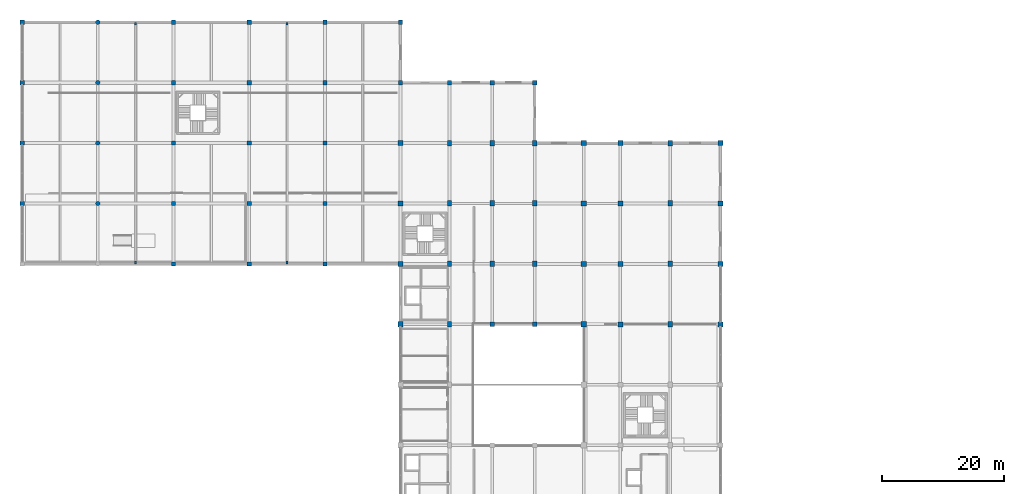
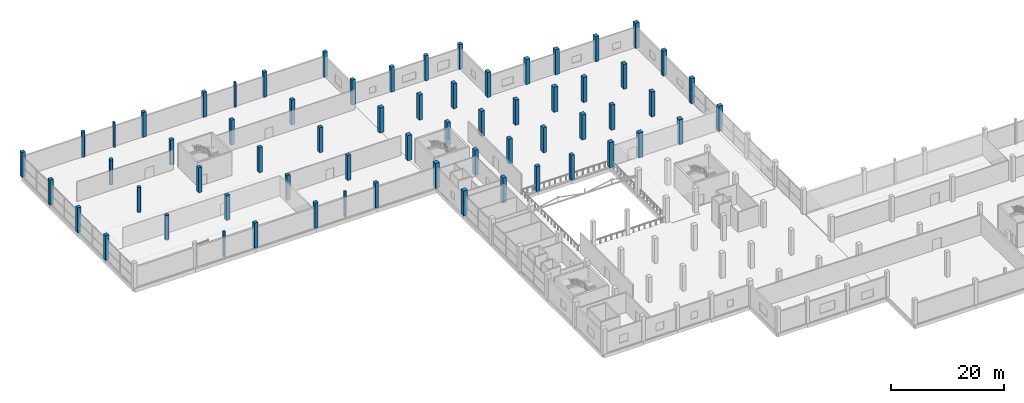
# One storey, part 2 of 74: 64 columns.
"""IFC4 building model written with IfcOpenShell, lengths in metres."""

from ifc_helpers import new_model, si_unit, direction, frame, origin, origin_2d, place, context, subcontext, project, spatial, rectangle, circle, extrude, material, material_profile, profile_set, type_object, element, save


model = new_model("IFC4")

# Units and contexts
model_context = context("Model", 3, precision=1e-05, world=origin(), true_north=direction((0.0, 1.0)))
body_context = subcontext(model_context, "Body", "Model", "MODEL_VIEW")
ifc_project = project(units=[si_unit("LENGTHUNIT", "METRE"), si_unit("AREAUNIT", "SQUARE_METRE"), si_unit("VOLUMEUNIT", "CUBIC_METRE"), si_unit("PLANEANGLEUNIT", "RADIAN"), si_unit("MASSUNIT", "GRAM", prefix="KILO")], contexts=[model_context])

# Site, building, storey
site_placement = place(None, origin())
site = spatial("IfcSite", under=ifc_project, at=site_placement, CompositionType="ELEMENT")
building_placement = place(site_placement, origin())
building = spatial("IfcBuilding", under=site, at=building_placement, Name="Sillaruma Civic Art Gallery", CompositionType="ELEMENT")
storey_placement = place(building_placement, frame((0.0, 0.0, 5.43994140625)))
storey = spatial("IfcBuildingStorey", under=building, at=storey_placement, Name="L01", CompositionType="ELEMENT", Elevation=5.43994140625)

# Columns
ifc_material = material(Name="Concrete H40 (40 MPa)", Category="concrete")
ifc_material_profile_1 = material_profile(ifc_material, rectangle(XDim=0.699951171875, YDim=0.699951171875, at=origin_2d()), Name="RC700x700")
ifc_profile_set_1 = profile_set([ifc_material_profile_1], Name="Concrete H40 (40 MPa)")
column_type_1 = type_object("IfcColumnType", Name="COL-COLUMN-RC700x700", PredefinedType="COLUMN", material=ifc_profile_set_1)
for number, where, z_axis, x_axis, name in (
    (1, (0.0, 89.10009765625, 0.0), (0.0, 0.0, 1.0), (1.0, 0.0, 0.0), "Column C-06 (L01:A10)"),
    (2, (0.0, 99.0, 0.0), (0.0, 0.0, 1.0), (1.0, 0.0, 0.0), "Column C-06 (L01:A11)"),
    (3, (0.0, 108.89990234375, 0.0), (0.0, 0.0, 1.0), (1.0, 0.0, 0.0), "Column C-06 (L01:A12)"),
    (4, (0.0, 118.800048828125, 0.0), (0.0, 0.0, 1.0), (1.0, 0.0, 0.0), "Column C-06 (L01:A13)"),
    (5, (24.800048828125, 79.199951171875, 0.0), (0.0, 0.0, 1.0), (1.0, 0.0, 0.0), "Column C-06 (L01:C9)"),
    (6, (24.800048828125, 89.10009765625, 0.0), (0.0, 0.0, 1.0), (1.0, 0.0, 0.0), "Column C-06 (L01:C10)"),
    (7, (24.800048828125, 99.0, 0.0), (0.0, 0.0, 1.0), (1.0, 0.0, 0.0), "Column C-06 (L01:C11)"),
    (8, (24.800048828125, 108.89990234375, 0.0), (0.0, 0.0, 1.0), (1.0, 0.0, 0.0), "Column C-06 (L01:C12)"),
    (9, (24.800048828125, 118.800048828125, 0.0), (0.0, 0.0, 1.0), (1.0, 0.0, 0.0), "Column C-06 (L01:C13)"),
    (10, (37.199951171875, 79.199951171875, 0.0), (0.0, 0.0, 1.0), (1.0, 0.0, 0.0), "Column C-06 (L01:D9)"),
    (11, (37.199951171875, 89.10009765625, 0.0), (0.0, 0.0, 1.0), (1.0, 0.0, 0.0), "Column C-06 (L01:D10)"),
    (12, (37.199951171875, 99.0, 0.0), (0.0, 0.0, 1.0), (1.0, 0.0, 0.0), "Column C-06 (L01:D11)"),
    (13, (37.199951171875, 108.89990234375, 0.0), (0.0, 0.0, 1.0), (1.0, 0.0, 0.0), "Column C-06 (L01:D12)"),
    (14, (37.199951171875, 118.800048828125, 0.0), (0.0, 0.0, 1.0), (1.0, 0.0, 0.0), "Column C-06 (L01:D13)"),
    (15, (49.60009765625, 79.199951171875, 0.0), (0.0, 0.0, 1.0), (1.0, 0.0, 0.0), "Column C-06 (L01:E9)"),
    (16, (49.60009765625, 89.10009765625, 0.0), (0.0, 0.0, 1.0), (1.0, 0.0, 0.0), "Column C-06 (L01:E10)"),
    (17, (49.60009765625, 99.0, 0.0), (0.0, 0.0, 1.0), (1.0, 0.0, 0.0), "Column C-06 (L01:E11)"),
    (18, (49.60009765625, 108.89990234375, 0.0), (0.0, 0.0, 1.0), (1.0, 0.0, 0.0), "Column C-06 (L01:E12)"),
    (19, (49.60009765625, 118.800048828125, 0.0), (0.0, 0.0, 1.0), (1.0, 0.0, 0.0), "Column C-06 (L01:E13)"),
    (20, (62.0, 108.89990234375, 0.0), (0.0, 0.0, 1.0), (1.0, 0.0, 0.0), "Column C-06 (L01:F12)"),
    (21, (62.0, 118.800048828125, 0.0), (0.0, 0.0, 1.0), (1.0, 0.0, 0.0), "Column C-06 (L01:F13)"),
    (22, (70.0, 108.89990234375, 0.0), (0.0, 0.0, 1.0), (1.0, 0.0, 0.0), "Column C-06 (L01:G12)"),
    (23, (77.0, 69.300048828125, 0.0), (0.0, 0.0, 1.0), (1.0, 0.0, 0.0), "Column C-06 (L01:H8)"),
    (24, (77.0, 108.89990234375, 0.0), (0.0, 0.0, 1.0), (1.0, 0.0, 0.0), "Column C-06 (L01:H12)"),
    (25, (84.0, 69.300048828125, 0.0), (0.0, 0.0, 1.0), (1.0, 0.0, 0.0), "Column C-06 (L01:J8)"),
    (26, (84.0, 108.89990234375, 0.0), (0.0, 0.0, 1.0), (1.0, 0.0, 0.0), "Column C-06 (L01:J12)"),
):
    element("IfcColumn", number, at=place(storey_placement, frame(where, z_axis=z_axis, x_axis=x_axis)), inside=storey, type_object=column_type_1, Name=name, PredefinedType="COLUMN", context=body_context, shape_type="SweptSolid", body=[
        extrude(rectangle(XDim=0.699951171875, YDim=0.699951171875, at=origin_2d()), origin(), (0.0, 0.0, 1.0), 5.43994140625),
    ])
ifc_material_profile_2 = material_profile(ifc_material, rectangle(XDim=0.800048828125, YDim=0.800048828125, at=origin_2d()), Name="RC800x800")
ifc_profile_set_2 = profile_set([ifc_material_profile_2], Name="Concrete H40 (40 MPa)")
column_type_2 = type_object("IfcColumnType", Name="COL-COLUMN-RC800x800", PredefinedType="COLUMN", material=ifc_profile_set_2)
for number, where, z_axis, x_axis, name in (
    (27, (98.0, 69.300048828125, 0.0), (0.0, 0.0, 1.0), (1.0, 0.0, 0.0), "Column C-04 (L01:L8)"),
    (28, (98.0, 79.199951171875, 0.0), (0.0, 0.0, 1.0), (1.0, 0.0, 0.0), "Column C-04 (L01:L9)"),
    (29, (98.0, 89.10009765625, 0.0), (0.0, 0.0, 1.0), (1.0, 0.0, 0.0), "Column C-04 (L01:L10)"),
    (30, (98.0, 99.0, 0.0), (0.0, 0.0, 1.0), (1.0, 0.0, 0.0), "Column C-04 (L01:L11)"),
    (31, (114.39990234375, 69.300048828125, 0.0), (0.0, 0.0, 1.0), (1.0, 0.0, 0.0), "Column C-04 (L01:N8)"),
    (32, (114.39990234375, 79.199951171875, 0.0), (0.0, 0.0, 1.0), (1.0, 0.0, 0.0), "Column C-04 (L01:N9)"),
    (33, (114.39990234375, 89.10009765625, 0.0), (0.0, 0.0, 1.0), (1.0, 0.0, 0.0), "Column C-04 (L01:N10)"),
    (34, (114.39990234375, 99.0, 0.0), (0.0, 0.0, 1.0), (1.0, 0.0, 0.0), "Column C-04 (L01:N11)"),
):
    element("IfcColumn", number, at=place(storey_placement, frame(where, z_axis=z_axis, x_axis=x_axis)), inside=storey, type_object=column_type_2, Name=name, PredefinedType="COLUMN", context=body_context, shape_type="SweptSolid", body=[
        extrude(rectangle(XDim=0.800048828125, YDim=0.800048828125, at=origin_2d()), origin(), (0.0, 0.0, 1.0), 5.43994140625),
    ])
ifc_material_profile_3 = material_profile(ifc_material, rectangle(XDim=0.85009765625, YDim=0.85009765625, at=origin_2d()), Name="RC850x850")
ifc_profile_set_3 = profile_set([ifc_material_profile_3], Name="Concrete H40 (40 MPa)")
column_type_3 = type_object("IfcColumnType", Name="COL-COLUMN-RC850x850", PredefinedType="COLUMN", material=ifc_profile_set_3)
for number, where, z_axis, x_axis, name in (
    (35, (62.0, 69.300048828125, 0.0), (0.0, 0.0, 1.0), (1.0, 0.0, 0.0), "Column C-03 (L01:F8)"),
    (36, (62.0, 79.199951171875, 0.0), (0.0, 0.0, 1.0), (1.0, 0.0, 0.0), "Column C-03 (L01:F9)"),
    (37, (62.0, 89.10009765625, 0.0), (0.0, 0.0, 1.0), (1.0, 0.0, 0.0), "Column C-03 (L01:F10)"),
    (38, (62.0, 99.0, 0.0), (0.0, 0.0, 1.0), (1.0, 0.0, 0.0), "Column C-03 (L01:F11)"),
    (39, (92.0, 69.300048828125, 0.0), (0.0, 0.0, 1.0), (1.0, 0.0, 0.0), "Column C-03 (L01:K8)"),
    (40, (92.0, 79.199951171875, 0.0), (0.0, 0.0, 1.0), (1.0, 0.0, 0.0), "Column C-03 (L01:K9)"),
    (41, (92.0, 89.10009765625, 0.0), (0.0, 0.0, 1.0), (1.0, 0.0, 0.0), "Column C-03 (L01:K10)"),
    (42, (92.0, 99.0, 0.0), (0.0, 0.0, 1.0), (1.0, 0.0, 0.0), "Column C-03 (L01:K11)"),
):
    element("IfcColumn", number, at=place(storey_placement, frame(where, z_axis=z_axis, x_axis=x_axis)), inside=storey, type_object=column_type_3, Name=name, PredefinedType="COLUMN", context=body_context, shape_type="SweptSolid", body=[
        extrude(rectangle(XDim=0.85009765625, YDim=0.85009765625, at=origin_2d()), origin(), (0.0, 0.0, 1.0), 5.43994140625),
    ])
ifc_material_profile_4 = material_profile(ifc_material, rectangle(XDim=0.699951171875, YDim=0.89990234375, at=origin_2d()), Name="RC900x700")
ifc_profile_set_4 = profile_set([ifc_material_profile_4], Name="Concrete H40 (40 MPa)")
column_type_4 = type_object("IfcColumnType", Name="COL-COLUMN-RC900x700", PredefinedType="COLUMN", material=ifc_profile_set_4)
for number, where, z_axis, x_axis, name in (
    (43, (70.0, 69.300048828125, 0.0), (0.0, 0.0, 1.0), (1.0, 0.0, 0.0), "Column C-09 (L01:G8)"),
    (44, (70.0, 79.199951171875, 0.0), (0.0, 0.0, 1.0), (1.0, 0.0, 0.0), "Column C-09 (L01:G9)"),
    (45, (70.0, 89.10009765625, 0.0), (0.0, 0.0, 1.0), (1.0, 0.0, 0.0), "Column C-09 (L01:G10)"),
    (46, (70.0, 99.0, 0.0), (0.0, 0.0, 1.0), (1.0, 0.0, 0.0), "Column C-09 (L01:G11)"),
    (47, (77.0, 79.199951171875, 0.0), (0.0, 0.0, 1.0), (1.0, 0.0, 0.0), "Column C-09 (L01:H9)"),
    (48, (77.0, 89.10009765625, 0.0), (0.0, 0.0, 1.0), (1.0, 0.0, 0.0), "Column C-09 (L01:H10)"),
    (49, (77.0, 99.0, 0.0), (0.0, 0.0, 1.0), (1.0, 0.0, 0.0), "Column C-09 (L01:H11)"),
    (50, (84.0, 79.199951171875, 0.0), (0.0, 0.0, 1.0), (1.0, 0.0, 0.0), "Column C-09 (L01:J9)"),
    (51, (84.0, 89.10009765625, 0.0), (0.0, 0.0, 1.0), (1.0, 0.0, 0.0), "Column C-09 (L01:J10)"),
    (52, (84.0, 99.0, 0.0), (0.0, 0.0, 1.0), (1.0, 0.0, 0.0), "Column C-09 (L01:J11)"),
    (53, (106.199951171875, 69.300048828125, 0.0), (0.0, 0.0, 1.0), (1.0, 0.0, 0.0), "Column C-09 (L01:M8)"),
    (54, (106.199951171875, 79.199951171875, 0.0), (0.0, 0.0, 1.0), (1.0, 0.0, 0.0), "Column C-09 (L01:M9)"),
    (55, (106.199951171875, 89.10009765625, 0.0), (0.0, 0.0, 1.0), (1.0, 0.0, 0.0), "Column C-09 (L01:M10)"),
    (56, (106.199951171875, 99.0, 0.0), (0.0, 0.0, 1.0), (1.0, 0.0, 0.0), "Column C-09 (L01:M11)"),
):
    element("IfcColumn", number, at=place(storey_placement, frame(where, z_axis=z_axis, x_axis=x_axis)), inside=storey, type_object=column_type_4, Name=name, PredefinedType="COLUMN", context=body_context, shape_type="SweptSolid", body=[
        extrude(rectangle(XDim=0.699951171875, YDim=0.89990234375, at=origin_2d()), origin(), (0.0, 0.0, 1.0), 5.43994140625),
    ])
ifc_material_profile_5 = material_profile(ifc_material, circle(Radius=0.360107421875, at=origin_2d()), Name="RCC720")
ifc_profile_set_5 = profile_set([ifc_material_profile_5], Name="Concrete H40 (40 MPa)")
column_type_5 = type_object("IfcColumnType", Name="COL-COLUMN-RCC720", PredefinedType="COLUMN", material=ifc_profile_set_5)
for number, where, z_axis, x_axis, name in (
    (57, (12.39990234375, 89.10009765625, 0.0), (0.0, 0.0, 1.0), (1.0, 0.0, 0.0), "Column CC-02 (L01:B10)"),
    (58, (12.39990234375, 99.0, 0.0), (0.0, 0.0, 1.0), (1.0, 0.0, 0.0), "Column CC-02 (L01:B11)"),
    (59, (12.39990234375, 108.89990234375, 0.0), (0.0, 0.0, 1.0), (1.0, 0.0, 0.0), "Column CC-02 (L01:B12)"),
    (60, (12.39990234375, 118.800048828125, 0.0), (0.0, 0.0, 1.0), (1.0, 0.0, 0.0), "Column CC-02 (L01:B13)"),
):
    element("IfcColumn", number, at=place(storey_placement, frame(where, z_axis=z_axis, x_axis=x_axis)), inside=storey, type_object=column_type_5, Name=name, PredefinedType="COLUMN", context=body_context, shape_type="SweptSolid", body=[
        extrude(circle(Radius=0.360107421875, at=origin_2d()), origin(), (0.0, 0.0, 1.0), 5.43994140625),
    ])
ifc_material_profile_6 = material_profile(ifc_material, rectangle(XDim=0.340087890625, YDim=0.449951171875, at=origin_2d()), Name="RC450x340")
ifc_profile_set_6 = profile_set([ifc_material_profile_6], Name="Concrete H40 (40 MPa)")
column_type_6 = type_object("IfcColumnType", Name="COL-PILASTER-RC450x340", PredefinedType="PILASTER", material=ifc_profile_set_6)
for number, where, z_axis, x_axis, name in (
    (61, (18.60009765625, 79.449951171875, 0.0), (0.0, 0.0, 1.0), (1.0, 0.0, 0.0), "Pilaster CP-02 (L01:PIL-W1)"),
    (62, (43.39990234375, 79.449951171875, 0.0), (0.0, 0.0, 1.0), (1.0, 0.0, 0.0), "Pilaster CP-02 (L01:PIL-W2)"),
    (63, (18.60009765625, 118.550048828125, 0.0), (0.0, 0.0, 1.0), (1.0, 0.0, 0.0), "Pilaster CP-02 (L01:PIL-W3)"),
    (64, (43.39990234375, 118.550048828125, 0.0), (0.0, 0.0, 1.0), (1.0, 0.0, 0.0), "Pilaster CP-02 (L01:PIL-W4)"),
):
    element("IfcColumn", number, at=place(storey_placement, frame(where, z_axis=z_axis, x_axis=x_axis)), inside=storey, type_object=column_type_6, Name=name, PredefinedType="PILASTER", context=body_context, shape_type="SweptSolid", body=[
        extrude(rectangle(XDim=0.340087890625, YDim=0.449951171875, at=origin_2d()), origin(), (0.0, 0.0, 1.0), 5.43994140625),
    ])

save(model, "model.ifc")
